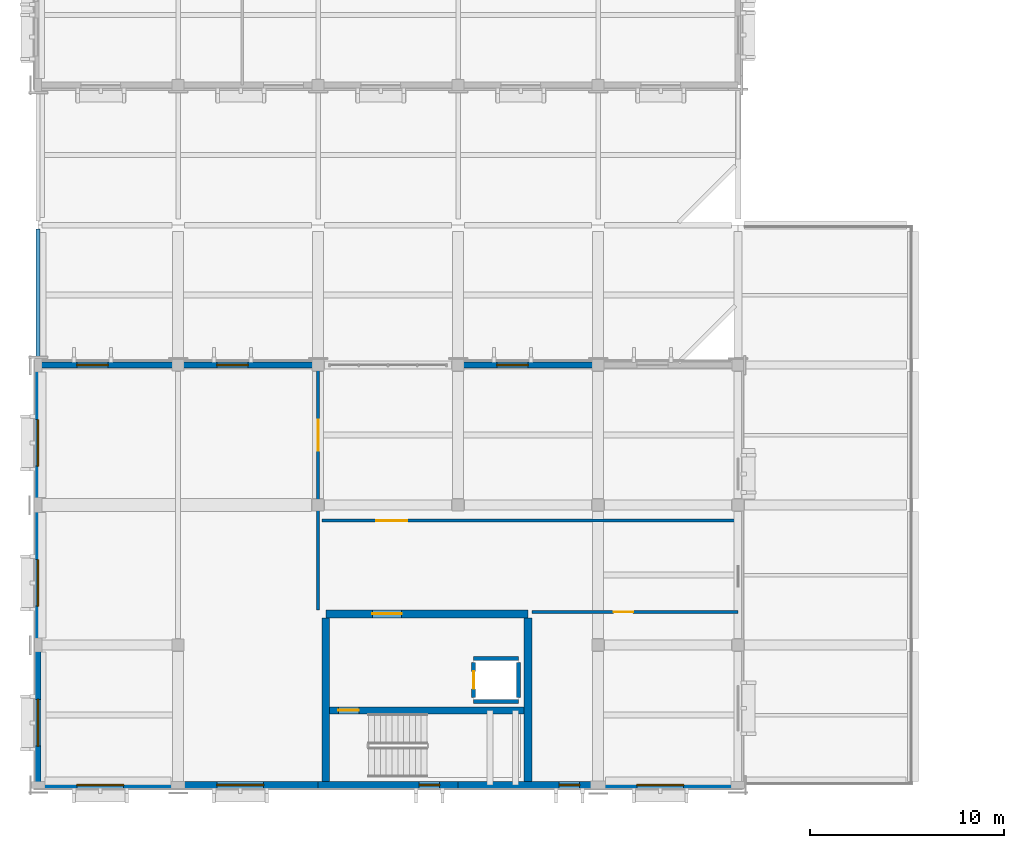
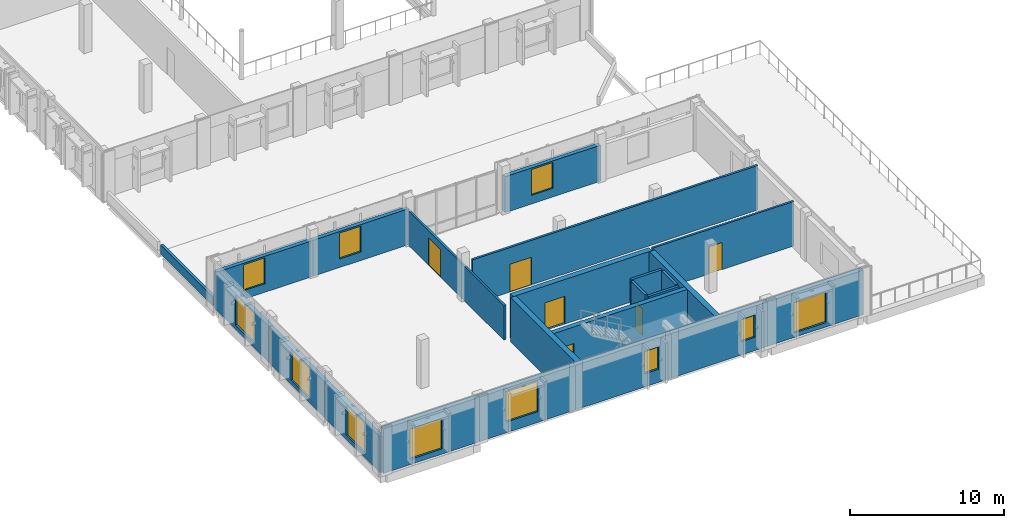
# One storey, part 38 of 64: 23 walls, 11 windows, 6 doors, 17 openings.
"""IFC4 building model written with IfcOpenShell, lengths in metres."""

from ifc_helpers import new_model, si_unit, direction, frame, frame_2d, origin, origin_with_axes, place, context, subcontext, project, spatial, rectangle, extrude, material, layer, layer_set, type_object, element, fill, save


model = new_model("IFC4")

# Units and contexts
model_context = context("Model", 3, precision=1e-05, world=origin(), true_north=direction((0.0, 1.0)))
body_context = subcontext(model_context, "Body", "Model", "MODEL_VIEW")
ifc_project = project(units=[si_unit("LENGTHUNIT", "METRE"), si_unit("AREAUNIT", "SQUARE_METRE"), si_unit("VOLUMEUNIT", "CUBIC_METRE"), si_unit("PLANEANGLEUNIT", "RADIAN"), si_unit("MASSUNIT", "GRAM", prefix="KILO")], contexts=[model_context])

# Site, building, storey
site_placement = place(None, origin())
site = spatial("IfcSite", under=ifc_project, at=site_placement, CompositionType="ELEMENT")
building_placement = place(site_placement, origin())
building = spatial("IfcBuilding", under=site, at=building_placement, Name="Vervanel Yard Central Library", CompositionType="ELEMENT")
storey_placement = place(building_placement, frame((0.0, 0.0, 8.93994140625)))
storey = spatial("IfcBuildingStorey", under=building, at=storey_placement, Name="L02", CompositionType="ELEMENT", Elevation=8.93994140625)

# Wall, opening, door
ifc_material_1 = material(Name="Fire-rated gypsum board on steel studs", Category="steel")
ifc_layer_1 = layer(ifc_material_1, 0.159912109375, Category="steel")
ifc_layer_set_1 = layer_set([ifc_layer_1], Name="Fire-rated gypsum board on steel studs")
wall_type_1 = type_object("IfcWallType", Name="Acoustic Glazed Partition 160", PredefinedType="PARTITIONING", material=ifc_layer_set_1)
wall_1_placement = place(storey_placement, frame((14.60009765625, 13.60009765625, 0.0), z_axis=(0.0, 0.0, 1.0), x_axis=(1.0, 0.0, 0.0)))
wall_1 = element("IfcWall", 1, at=wall_1_placement, inside=storey, type_object=wall_type_1, Name="L02 Acoustic Glazed Partition 160 IPART-L02-0090", PredefinedType="PARTITIONING", context=body_context, shape_type="SweptSolid", body=[
    extrude(rectangle(XDim=21.39990234375, YDim=0.159912109375, at=frame_2d((10.699951171875, 0.0))), origin(), (0.0, 0.0, 1.0), 3.530029296875),
])
opening_1_placement = place(wall_1_placement, frame((2.800048828125, 0.0, 0.0)))
opening_1 = element("IfcOpeningElement", 2, at=opening_1_placement, cuts=wall_1, Name="Opening DR-04", PredefinedType="OPENING", context=body_context, shape_type="SweptSolid", body=[
    extrude(rectangle(XDim=1.60009765625, YDim=2.199951171875, at=frame_2d((0.800048828125, 1.10009765625))), frame((0.0, 0.08984375, 0.0), z_axis=(0.0, -1.0, 0.0), x_axis=(1.0, 0.0, 0.0)), (0.0, 0.0, 1.0), 0.179931640625),
])
ifc_material_2 = material(Name="Solid white oak acoustic joinery", Category="wood")
door_type_1 = type_object("IfcDoorType", Name="Interior Double Reading Door 1600x2200", OperationType="NOTDEFINED", PredefinedType="DOOR", material=ifc_material_2)
door_1_placement = place(opening_1_placement, origin())
door_1 = element("IfcDoor", 3, at=door_1_placement, inside=storey, type_object=door_type_1, Name="L02 Interior Double Reading Door 1600x2200 IDOOR-L02-0071", OperationType="DOUBLE_DOOR_SINGLE_SWING", OverallHeight=2.199951171875, OverallWidth=1.60009765625, PredefinedType="DOOR", context=body_context, shape_type="SweptSolid", body=[
    extrude(rectangle(XDim=1.60009765625, YDim=2.199951171875, at=frame_2d((0.800048828125, 1.10009765625))), frame((0.0, 0.02490234375, 0.0), z_axis=(0.0, -1.0, 0.0), x_axis=(1.0, 0.0, 0.0)), (0.0, 0.0, 1.0), 0.050048828125),
])
fill(opening_1, door_1)

# Wall, opening, window
ifc_material_3 = material(Name="Precast concrete C45/55", Category="concrete")
ifc_layer_2 = layer(ifc_material_3, 0.300048828125, Category="concrete")
ifc_layer_set_2 = layer_set([ifc_layer_2], Name="Precast concrete C45/55")
wall_type_2 = type_object("IfcWallType", Name="Bush-Hammered Precast Cladding Wall 300", PredefinedType="SOLIDWALL", material=ifc_layer_set_2)
wall_2_placement = place(storey_placement, frame((0.0, 0.0, 0.0), z_axis=(0.0, 0.0, 1.0), x_axis=(0.0, 1.0, 0.0)))
wall_2 = element("IfcWall", 4, at=wall_2_placement, inside=storey, type_object=wall_type_2, Name="L02 Bush-Hammered Precast Cladding Wall 300 EWALL-L02-0238", PredefinedType="SOLIDWALL", context=body_context, shape_type="SweptSolid", body=[
    extrude(rectangle(XDim=7.199951171875, YDim=0.300048828125, at=frame_2d((3.60009765625, 0.0))), origin(), (0.0, 0.0, 1.0), 2.85498046875),
])
opening_2_placement = place(wall_2_placement, frame((2.0, 0.0, 0.3349609375)))
opening_2 = element("IfcOpeningElement", 5, at=opening_2_placement, cuts=wall_2, Name="Opening WN-09", PredefinedType="OPENING", context=body_context, shape_type="SweptSolid", body=[
    extrude(rectangle(XDim=2.39990234375, YDim=2.39990234375, at=frame_2d((1.199951171875, 1.199951171875))), frame((0.0, 0.159912109375, 0.0), z_axis=(0.0, -1.0, 0.0), x_axis=(1.0, 0.0, 0.0)), (0.0, 0.0, 1.0), 0.320068359375),
])
ifc_material_4 = material(Name="Double low-E laminated solar-control glass", Category="glass")
window_type_1 = type_object("IfcWindowType", Name="Maker Workshop Window 2400x2400", PartitioningType="SINGLE_PANEL", PredefinedType="WINDOW", material=ifc_material_4)
window_1_placement = place(opening_2_placement, origin())
window_1 = element("IfcWindow", 6, at=window_1_placement, inside=storey, type_object=window_type_1, Name="L02 Maker Workshop Window 2400x2400 303", OverallHeight=2.39990234375, OverallWidth=2.39990234375, PartitioningType="SINGLE_PANEL", PredefinedType="WINDOW", context=body_context, shape_type="SweptSolid", body=[
    extrude(rectangle(XDim=2.39990234375, YDim=2.39990234375, at=frame_2d((1.199951171875, 1.199951171875))), frame((0.0, 0.030029296875, 0.0), z_axis=(0.0, -1.0, 0.0), x_axis=(1.0, 0.0, 0.0)), (0.0, 0.0, 1.0), 0.06005859375),
])
fill(opening_2, window_1)

wall_3_placement = place(storey_placement, frame((0.0, 7.199951171875, 0.0), z_axis=(0.0, 0.0, 1.0), x_axis=(0.0, 1.0, 0.0)))
wall_3 = element("IfcWall", 7, at=wall_3_placement, inside=storey, type_object=wall_type_2, Name="L02 Bush-Hammered Precast Cladding Wall 300 EWALL-L02-0239", PredefinedType="SOLIDWALL", context=body_context, shape_type="SweptSolid", body=[
    extrude(rectangle(XDim=7.199951171875, YDim=0.300048828125, at=frame_2d((3.60009765625, 0.0))), origin(), (0.0, 0.0, 1.0), 2.85498046875),
])
opening_3_placement = place(wall_3_placement, frame((2.0, 0.0, 0.3349609375)))
opening_3 = element("IfcOpeningElement", 8, at=opening_3_placement, cuts=wall_3, Name="Opening WN-09", PredefinedType="OPENING", context=body_context, shape_type="SweptSolid", body=[
    extrude(rectangle(XDim=2.39990234375, YDim=2.39990234375, at=frame_2d((1.199951171875, 1.199951171875))), frame((0.0, 0.159912109375, 0.0), z_axis=(0.0, -1.0, 0.0), x_axis=(1.0, 0.0, 0.0)), (0.0, 0.0, 1.0), 0.320068359375),
])
window_2_placement = place(opening_3_placement, origin())
window_2 = element("IfcWindow", 9, at=window_2_placement, inside=storey, type_object=window_type_1, Name="L02 Maker Workshop Window 2400x2400 304", OverallHeight=2.39990234375, OverallWidth=2.39990234375, PartitioningType="SINGLE_PANEL", PredefinedType="WINDOW", context=body_context, shape_type="SweptSolid", body=[
    extrude(rectangle(XDim=2.39990234375, YDim=2.39990234375, at=frame_2d((1.199951171875, 1.199951171875))), frame((0.0, 0.030029296875, 0.0), z_axis=(0.0, -1.0, 0.0), x_axis=(1.0, 0.0, 0.0)), (0.0, 0.0, 1.0), 0.06005859375),
])
fill(opening_3, window_2)

wall_4_placement = place(storey_placement, frame((0.0, 14.39990234375, 0.0), z_axis=(0.0, 0.0, 1.0), x_axis=(0.0, 1.0, 0.0)))
wall_4 = element("IfcWall", 10, at=wall_4_placement, inside=storey, type_object=wall_type_2, Name="L02 Bush-Hammered Precast Cladding Wall 300 EWALL-L02-0240", PredefinedType="SOLIDWALL", context=body_context, shape_type="SweptSolid", body=[
    extrude(rectangle(XDim=7.2001953125, YDim=0.300048828125, at=frame_2d((3.60009765625, 0.0))), origin(), (0.0, 0.0, 1.0), 2.85498046875),
])
opening_4_placement = place(wall_4_placement, frame((2.0, 0.0, 0.3349609375)))
opening_4 = element("IfcOpeningElement", 11, at=opening_4_placement, cuts=wall_4, Name="Opening WN-09", PredefinedType="OPENING", context=body_context, shape_type="SweptSolid", body=[
    extrude(rectangle(XDim=2.39990234375, YDim=2.39990234375, at=frame_2d((1.199951171875, 1.199951171875))), frame((0.0, 0.159912109375, 0.0), z_axis=(0.0, -1.0, 0.0), x_axis=(1.0, 0.0, 0.0)), (0.0, 0.0, 1.0), 0.320068359375),
])
window_3_placement = place(opening_4_placement, origin())
window_3 = element("IfcWindow", 12, at=window_3_placement, inside=storey, type_object=window_type_1, Name="L02 Maker Workshop Window 2400x2400 305", OverallHeight=2.39990234375, OverallWidth=2.39990234375, PartitioningType="SINGLE_PANEL", PredefinedType="WINDOW", context=body_context, shape_type="SweptSolid", body=[
    extrude(rectangle(XDim=2.39990234375, YDim=2.39990234375, at=frame_2d((1.199951171875, 1.199951171875))), frame((0.0, 0.030029296875, 0.0), z_axis=(0.0, -1.0, 0.0), x_axis=(1.0, 0.0, 0.0)), (0.0, 0.0, 1.0), 0.06005859375),
])
fill(opening_4, window_3)

wall_5_placement = place(storey_placement, frame((0.0, 21.60009765625, 0.0), z_axis=(0.0, 0.0, 1.0), x_axis=(1.0, 0.0, 0.0)))
wall_5 = element("IfcWall", 13, at=wall_5_placement, inside=storey, type_object=wall_type_2, Name="L02 Bush-Hammered Precast Cladding Wall 300 EWALL-L02-0242", PredefinedType="SOLIDWALL", context=body_context, shape_type="SweptSolid", body=[
    extrude(rectangle(XDim=7.199951171875, YDim=0.300048828125, at=frame_2d((3.60009765625, 0.0))), origin(), (0.0, 0.0, 1.0), 2.85498046875),
])
opening_5_placement = place(wall_5_placement, frame((2.0, 0.0, 0.68505859375)))
opening_5 = element("IfcOpeningElement", 14, at=opening_5_placement, cuts=wall_5, Name="Opening WN-20", PredefinedType="OPENING", context=body_context, shape_type="SweptSolid", body=[
    extrude(rectangle(XDim=1.60009765625, YDim=2.050048828125, at=frame_2d((0.800048828125, 1.02490234375))), frame((0.0, 0.159912109375, 0.0), z_axis=(0.0, -1.0, 0.0), x_axis=(1.0, 0.0, 0.0)), (0.0, 0.0, 1.0), 0.320068359375),
])
window_type_2 = type_object("IfcWindowType", Name="Reading Courtyard Window 1600x2050", PartitioningType="SINGLE_PANEL", PredefinedType="WINDOW", material=ifc_material_4)
window_4_placement = place(opening_5_placement, origin())
window_4 = element("IfcWindow", 15, at=window_4_placement, inside=storey, type_object=window_type_2, Name="L02 Reading Courtyard Window 1600x2050 308", OverallHeight=2.050048828125, OverallWidth=1.60009765625, PartitioningType="SINGLE_PANEL", PredefinedType="WINDOW", context=body_context, shape_type="SweptSolid", body=[
    extrude(rectangle(XDim=1.60009765625, YDim=2.050048828125, at=frame_2d((0.800048828125, 1.02490234375))), frame((0.0, 0.030029296875, 0.0), z_axis=(0.0, -1.0, 0.0), x_axis=(1.0, 0.0, 0.0)), (0.0, 0.0, 1.0), 0.06005859375),
])
fill(opening_5, window_4)

wall_6_placement = place(storey_placement, frame((7.199951171875, 21.60009765625, 0.0), z_axis=(0.0, 0.0, 1.0), x_axis=(1.0, 0.0, 0.0)))
wall_6 = element("IfcWall", 16, at=wall_6_placement, inside=storey, type_object=wall_type_2, Name="L02 Bush-Hammered Precast Cladding Wall 300 EWALL-L02-0243", PredefinedType="SOLIDWALL", context=body_context, shape_type="SweptSolid", body=[
    extrude(rectangle(XDim=7.199951171875, YDim=0.300048828125, at=frame_2d((3.60009765625, 0.0))), origin(), (0.0, 0.0, 1.0), 2.85498046875),
])
opening_6_placement = place(wall_6_placement, frame((2.0, 0.0, 0.68505859375)))
opening_6 = element("IfcOpeningElement", 17, at=opening_6_placement, cuts=wall_6, Name="Opening WN-20", PredefinedType="OPENING", context=body_context, shape_type="SweptSolid", body=[
    extrude(rectangle(XDim=1.60009765625, YDim=2.050048828125, at=frame_2d((0.800048828125, 1.02490234375))), frame((0.0, 0.159912109375, 0.0), z_axis=(0.0, -1.0, 0.0), x_axis=(1.0, 0.0, 0.0)), (0.0, 0.0, 1.0), 0.320068359375),
])
window_5_placement = place(opening_6_placement, origin())
window_5 = element("IfcWindow", 18, at=window_5_placement, inside=storey, type_object=window_type_2, Name="L02 Reading Courtyard Window 1600x2050 309", OverallHeight=2.050048828125, OverallWidth=1.60009765625, PartitioningType="SINGLE_PANEL", PredefinedType="WINDOW", context=body_context, shape_type="SweptSolid", body=[
    extrude(rectangle(XDim=1.60009765625, YDim=2.050048828125, at=frame_2d((0.800048828125, 1.02490234375))), frame((0.0, 0.030029296875, 0.0), z_axis=(0.0, -1.0, 0.0), x_axis=(1.0, 0.0, 0.0)), (0.0, 0.0, 1.0), 0.06005859375),
])
fill(opening_6, window_5)

wall_7_placement = place(storey_placement, frame((21.60009765625, 21.60009765625, 0.0), z_axis=(0.0, 0.0, 1.0), x_axis=(1.0, 0.0, 0.0)))
wall_7 = element("IfcWall", 19, at=wall_7_placement, inside=storey, type_object=wall_type_2, Name="L02 Bush-Hammered Precast Cladding Wall 300 EWALL-L02-0244", PredefinedType="SOLIDWALL", context=body_context, shape_type="SweptSolid", body=[
    extrude(rectangle(XDim=7.199951171875, YDim=0.300048828125, at=frame_2d((3.60009765625, 0.0))), origin(), (0.0, 0.0, 1.0), 2.85498046875),
])
opening_7_placement = place(wall_7_placement, frame((2.0, 0.0, 0.68505859375)))
opening_7 = element("IfcOpeningElement", 20, at=opening_7_placement, cuts=wall_7, Name="Opening WN-20", PredefinedType="OPENING", context=body_context, shape_type="SweptSolid", body=[
    extrude(rectangle(XDim=1.60009765625, YDim=2.050048828125, at=frame_2d((0.800048828125, 1.02490234375))), frame((0.0, 0.159912109375, 0.0), z_axis=(0.0, -1.0, 0.0), x_axis=(1.0, 0.0, 0.0)), (0.0, 0.0, 1.0), 0.320068359375),
])
window_6_placement = place(opening_7_placement, origin())
window_6 = element("IfcWindow", 21, at=window_6_placement, inside=storey, type_object=window_type_2, Name="L02 Reading Courtyard Window 1600x2050 310", OverallHeight=2.050048828125, OverallWidth=1.60009765625, PartitioningType="SINGLE_PANEL", PredefinedType="WINDOW", context=body_context, shape_type="SweptSolid", body=[
    extrude(rectangle(XDim=1.60009765625, YDim=2.050048828125, at=frame_2d((0.800048828125, 1.02490234375))), frame((0.0, 0.030029296875, 0.0), z_axis=(0.0, -1.0, 0.0), x_axis=(1.0, 0.0, 0.0)), (0.0, 0.0, 1.0), 0.06005859375),
])
fill(opening_7, window_6)

# Wall, opening, door
ifc_material_5 = material(Name="Concrete C45/55", Category="concrete")
ifc_layer_3 = layer(ifc_material_5, 0.39990234375, Category="concrete")
ifc_layer_set_3 = layer_set([ifc_layer_3], Name="Concrete C45/55")
wall_type_3 = type_object("IfcWallType", Name="Core Primary Shear Wall 400", PredefinedType="SHEAR", material=ifc_layer_set_3)
wall_8_placement = place(storey_placement, frame((14.800048828125, 8.800048828125, 0.0), z_axis=(0.0, 0.0, 1.0), x_axis=(1.0, 0.0, 0.0)))
wall_8 = element("IfcWall", 22, at=wall_8_placement, inside=storey, type_object=wall_type_3, Name="L02 CORE-D Shear Wall N", PredefinedType="SHEAR", context=body_context, shape_type="SweptSolid", body=[
    extrude(rectangle(XDim=10.39990234375, YDim=0.39990234375, at=frame_2d((5.199951171875, 0.0))), origin(), (0.0, 0.0, 1.0), 3.530029296875),
])
opening_8_placement = place(wall_8_placement, frame((2.39990234375, 0.0, 0.0)))
opening_8 = element("IfcOpeningElement", 23, at=opening_8_placement, cuts=wall_8, Name="Opening DR-F02", PredefinedType="OPENING", context=body_context, shape_type="SweptSolid", body=[
    extrude(rectangle(XDim=1.5, YDim=2.199951171875, at=frame_2d((0.75, 1.10009765625))), frame((0.0, 0.2099609375, 0.0), z_axis=(0.0, -1.0, 0.0), x_axis=(1.0, 0.0, 0.0)), (0.0, 0.0, 1.0), 0.419921875),
])
ifc_material_6 = material(Name="Galvanized painted steelwork ASTM A500 Grade C", Category="steel")
door_type_2 = type_object("IfcDoorType", Name="Fire-Rated Lobby Door 1500x2200", OperationType="NOTDEFINED", PredefinedType="DOOR", material=ifc_material_6)
door_2_placement = place(opening_8_placement, origin())
door_2 = element("IfcDoor", 24, at=door_2_placement, inside=storey, type_object=door_type_2, Name="L02 CORE-D Lobby Fire Door", OperationType="DOUBLE_DOOR_SINGLE_SWING", OverallHeight=2.199951171875, OverallWidth=1.5, PredefinedType="DOOR", context=body_context, shape_type="SweptSolid", body=[
    extrude(rectangle(XDim=1.5, YDim=2.199951171875, at=frame_2d((0.75, 1.10009765625))), frame((0.0, 0.02490234375, 0.0), z_axis=(0.0, -1.0, 0.0), x_axis=(1.0, 0.0, 0.0)), (0.0, 0.0, 1.0), 0.050048828125),
])
fill(opening_8, door_2)

# Walls
for number, where, z_axis, x_axis, name in (
    (25, (14.800048828125, 0.169921875, 0.0), (0.0, 0.0, 1.0), (0.0, 1.0, 0.0), "L02 CORE-D Shear Wall W"),
    (26, (25.199951171875, 0.169921875, 0.0), (0.0, 0.0, 1.0), (0.0, 1.0, 0.0), "L02 CORE-D Shear Wall E"),
):
    element("IfcWall", number, at=place(storey_placement, frame(where, z_axis=z_axis, x_axis=x_axis)), inside=storey, type_object=wall_type_3, Name=name, PredefinedType="SHEAR", context=body_context, shape_type="SweptSolid", body=[
        extrude(rectangle(XDim=8.43017578125, YDim=0.39990234375, at=frame_2d((4.215087890625, 0.0))), origin(), (0.0, 0.0, 1.0), 3.530029296875),
    ])

# Wall, opening, door
ifc_layer_4 = layer(ifc_material_5, 0.35009765625, Category="concrete")
ifc_layer_set_4 = layer_set([ifc_layer_4], Name="Concrete C45/55")
wall_type_4 = type_object("IfcWallType", Name="Core Secondary Shear Wall 350", PredefinedType="SHEAR", material=ifc_layer_set_4)
wall_9_placement = place(storey_placement, frame((15.0, 3.8349609375, 0.0), z_axis=(0.0, 0.0, 1.0), x_axis=(1.0, 0.0, 0.0)))
wall_9 = element("IfcWall", 27, at=wall_9_placement, inside=storey, type_object=wall_type_4, Name="L02 CORE-D Stair Shaft Wall", PredefinedType="SHEAR", context=body_context, shape_type="SweptSolid", body=[
    extrude(rectangle(XDim=10.0, YDim=0.35009765625, at=frame_2d((5.0, 0.0))), origin(), (0.0, 0.0, 1.0), 3.530029296875),
])
opening_9_placement = place(wall_9_placement, frame((0.449951171875, 0.0, 0.0)))
opening_9 = element("IfcOpeningElement", 28, at=opening_9_placement, cuts=wall_9, Name="Opening DR-F01", PredefinedType="OPENING", context=body_context, shape_type="SweptSolid", body=[
    extrude(rectangle(XDim=1.050048828125, YDim=2.199951171875, at=frame_2d((0.52490234375, 1.10009765625))), frame((0.0, 0.18505859375, 0.0), z_axis=(0.0, -1.0, 0.0), x_axis=(1.0, 0.0, 0.0)), (0.0, 0.0, 1.0), 0.3701171875),
])
door_type_3 = type_object("IfcDoorType", Name="Fire-Rated Stair Exit Door 1050x2200", OperationType="NOTDEFINED", PredefinedType="DOOR", material=ifc_material_6)
door_3_placement = place(opening_9_placement, origin())
door_3 = element("IfcDoor", 29, at=door_3_placement, inside=storey, type_object=door_type_3, Name="L02 CORE-D Stair Door", OperationType="SINGLE_SWING_LEFT", OverallHeight=2.199951171875, OverallWidth=1.050048828125, PredefinedType="DOOR", context=body_context, shape_type="SweptSolid", body=[
    extrude(rectangle(XDim=1.050048828125, YDim=2.199951171875, at=frame_2d((0.52490234375, 1.10009765625))), frame((0.0, 0.02490234375, 0.0), z_axis=(0.0, -1.0, 0.0), x_axis=(1.0, 0.0, 0.0)), (0.0, 0.0, 1.0), 0.050048828125),
])
fill(opening_9, door_3)

# Wall, opening, window
ifc_layer_5 = layer(ifc_material_5, 0.340087890625, Category="concrete")
ifc_layer_set_5 = layer_set([ifc_layer_5], Name="Concrete C45/55")
wall_type_5 = type_object("IfcWallType", Name="Exterior Bearing Concrete Frame Wall 340", PredefinedType="SOLIDWALL", material=ifc_layer_set_5)
wall_10_placement = place(storey_placement, origin_with_axes())
wall_10 = element("IfcWall", 30, at=wall_10_placement, inside=storey, type_object=wall_type_5, Name="L02 Exterior Bearing Concrete Frame Wall 340 EWALL-L02-0233", PredefinedType="SOLIDWALL", context=body_context, shape_type="SweptSolid", body=[
    extrude(rectangle(XDim=7.199951171875, YDim=0.340087890625, at=frame_2d((3.60009765625, 0.0))), origin(), (0.0, 0.0, 1.0), 3.530029296875),
])
opening_10_placement = place(wall_10_placement, frame((2.0, 0.0, 0.4150390625)))
opening_10 = element("IfcOpeningElement", 31, at=opening_10_placement, cuts=wall_10, Name="Opening WN-09", PredefinedType="OPENING", context=body_context, shape_type="SweptSolid", body=[
    extrude(rectangle(XDim=2.39990234375, YDim=2.39990234375, at=frame_2d((1.199951171875, 1.199951171875))), frame((0.0, 0.179931640625, 0.0), z_axis=(0.0, -1.0, 0.0), x_axis=(1.0, 0.0, 0.0)), (0.0, 0.0, 1.0), 0.360107421875),
])
window_7_placement = place(opening_10_placement, origin())
window_7 = element("IfcWindow", 32, at=window_7_placement, inside=storey, type_object=window_type_1, Name="L02 Maker Workshop Window 2400x2400 298", OverallHeight=2.39990234375, OverallWidth=2.39990234375, PartitioningType="SINGLE_PANEL", PredefinedType="WINDOW", context=body_context, shape_type="SweptSolid", body=[
    extrude(rectangle(XDim=2.39990234375, YDim=2.39990234375, at=frame_2d((1.199951171875, 1.199951171875))), frame((0.0, 0.030029296875, 0.0), z_axis=(0.0, -1.0, 0.0), x_axis=(1.0, 0.0, 0.0)), (0.0, 0.0, 1.0), 0.06005859375),
])
fill(opening_10, window_7)

wall_11_placement = place(storey_placement, frame((7.199951171875, 0.0, 0.0), z_axis=(0.0, 0.0, 1.0), x_axis=(1.0, 0.0, 0.0)))
wall_11 = element("IfcWall", 33, at=wall_11_placement, inside=storey, type_object=wall_type_5, Name="L02 Exterior Bearing Concrete Frame Wall 340 EWALL-L02-0234", PredefinedType="SOLIDWALL", context=body_context, shape_type="SweptSolid", body=[
    extrude(rectangle(XDim=7.199951171875, YDim=0.340087890625, at=frame_2d((3.60009765625, 0.0))), origin(), (0.0, 0.0, 1.0), 3.530029296875),
])
opening_11_placement = place(wall_11_placement, frame((2.0, 0.0, 0.85009765625)))
opening_11 = element("IfcOpeningElement", 34, at=opening_11_placement, cuts=wall_11, Name="Opening WN-09", PredefinedType="OPENING", context=body_context, shape_type="SweptSolid", body=[
    extrude(rectangle(XDim=2.39990234375, YDim=2.39990234375, at=frame_2d((1.199951171875, 1.199951171875))), frame((0.0, 0.179931640625, 0.0), z_axis=(0.0, -1.0, 0.0), x_axis=(1.0, 0.0, 0.0)), (0.0, 0.0, 1.0), 0.360107421875),
])
window_8_placement = place(opening_11_placement, origin())
window_8 = element("IfcWindow", 35, at=window_8_placement, inside=storey, type_object=window_type_1, Name="L02 Maker Workshop Window 2400x2400 299", OverallHeight=2.39990234375, OverallWidth=2.39990234375, PartitioningType="SINGLE_PANEL", PredefinedType="WINDOW", context=body_context, shape_type="SweptSolid", body=[
    extrude(rectangle(XDim=2.39990234375, YDim=2.39990234375, at=frame_2d((1.199951171875, 1.199951171875))), frame((0.0, 0.030029296875, 0.0), z_axis=(0.0, -1.0, 0.0), x_axis=(1.0, 0.0, 0.0)), (0.0, 0.0, 1.0), 0.06005859375),
])
fill(opening_11, window_8)

wall_12_placement = place(storey_placement, frame((14.39990234375, 0.0, 0.0), z_axis=(0.0, 0.0, 1.0), x_axis=(1.0, 0.0, 0.0)))
wall_12 = element("IfcWall", 36, at=wall_12_placement, inside=storey, type_object=wall_type_5, Name="L02 Exterior Bearing Concrete Frame Wall 340 EWALL-L02-0235", PredefinedType="SOLIDWALL", context=body_context, shape_type="SweptSolid", body=[
    extrude(rectangle(XDim=7.2001953125, YDim=0.340087890625, at=frame_2d((3.60009765625, 0.0))), origin(), (0.0, 0.0, 1.0), 3.530029296875),
])
opening_12_placement = place(wall_12_placement, frame((5.199951171875, 0.0, 1.050048828125)))
opening_12 = element("IfcOpeningElement", 37, at=opening_12_placement, cuts=wall_12, Name="Opening WN-16", PredefinedType="OPENING", context=body_context, shape_type="SweptSolid", body=[
    extrude(rectangle(XDim=1.050048828125, YDim=1.75, at=frame_2d((0.52490234375, 0.875))), frame((0.0, 0.179931640625, 0.0), z_axis=(0.0, -1.0, 0.0), x_axis=(1.0, 0.0, 0.0)), (0.0, 0.0, 1.0), 0.360107421875),
])
window_type_3 = type_object("IfcWindowType", Name="Study Carrel Punch Window 1050x1750", PartitioningType="SINGLE_PANEL", PredefinedType="WINDOW", material=ifc_material_4)
window_9_placement = place(opening_12_placement, origin())
window_9 = element("IfcWindow", 38, at=window_9_placement, inside=storey, type_object=window_type_3, Name="L02 Study Carrel Punch Window 1050x1750 300", OverallHeight=1.75, OverallWidth=1.050048828125, PartitioningType="SINGLE_PANEL", PredefinedType="WINDOW", context=body_context, shape_type="SweptSolid", body=[
    extrude(rectangle(XDim=1.050048828125, YDim=1.75, at=frame_2d((0.52490234375, 0.875))), frame((0.0, 0.030029296875, 0.0), z_axis=(0.0, -1.0, 0.0), x_axis=(1.0, 0.0, 0.0)), (0.0, 0.0, 1.0), 0.06005859375),
])
fill(opening_12, window_9)

wall_13_placement = place(storey_placement, frame((21.60009765625, 0.0, 0.0), z_axis=(0.0, 0.0, 1.0), x_axis=(1.0, 0.0, 0.0)))
wall_13 = element("IfcWall", 39, at=wall_13_placement, inside=storey, type_object=wall_type_5, Name="L02 Exterior Bearing Concrete Frame Wall 340 EWALL-L02-0236", PredefinedType="SOLIDWALL", context=body_context, shape_type="SweptSolid", body=[
    extrude(rectangle(XDim=7.199951171875, YDim=0.340087890625, at=frame_2d((3.60009765625, 0.0))), origin(), (0.0, 0.0, 1.0), 3.530029296875),
])
opening_13_placement = place(wall_13_placement, frame((5.199951171875, 0.0, 1.050048828125)))
opening_13 = element("IfcOpeningElement", 40, at=opening_13_placement, cuts=wall_13, Name="Opening WN-16", PredefinedType="OPENING", context=body_context, shape_type="SweptSolid", body=[
    extrude(rectangle(XDim=1.050048828125, YDim=1.75, at=frame_2d((0.52490234375, 0.875))), frame((0.0, 0.179931640625, 0.0), z_axis=(0.0, -1.0, 0.0), x_axis=(1.0, 0.0, 0.0)), (0.0, 0.0, 1.0), 0.360107421875),
])
window_10_placement = place(opening_13_placement, origin())
window_10 = element("IfcWindow", 41, at=window_10_placement, inside=storey, type_object=window_type_3, Name="L02 Study Carrel Punch Window 1050x1750 301", OverallHeight=1.75, OverallWidth=1.050048828125, PartitioningType="SINGLE_PANEL", PredefinedType="WINDOW", context=body_context, shape_type="SweptSolid", body=[
    extrude(rectangle(XDim=1.050048828125, YDim=1.75, at=frame_2d((0.52490234375, 0.875))), frame((0.0, 0.030029296875, 0.0), z_axis=(0.0, -1.0, 0.0), x_axis=(1.0, 0.0, 0.0)), (0.0, 0.0, 1.0), 0.06005859375),
])
fill(opening_13, window_10)

wall_14_placement = place(storey_placement, frame((28.800048828125, 0.0, 0.0), z_axis=(0.0, 0.0, 1.0), x_axis=(1.0, 0.0, 0.0)))
wall_14 = element("IfcWall", 42, at=wall_14_placement, inside=storey, type_object=wall_type_5, Name="L02 Exterior Bearing Concrete Frame Wall 340 EWALL-L02-0237", PredefinedType="SOLIDWALL", context=body_context, shape_type="SweptSolid", body=[
    extrude(rectangle(XDim=7.199951171875, YDim=0.340087890625, at=frame_2d((3.60009765625, 0.0))), origin(), (0.0, 0.0, 1.0), 3.530029296875),
])
opening_14_placement = place(wall_14_placement, frame((2.0, 0.0, 0.35498046875)))
opening_14 = element("IfcOpeningElement", 43, at=opening_14_placement, cuts=wall_14, Name="Opening WN-09", PredefinedType="OPENING", context=body_context, shape_type="SweptSolid", body=[
    extrude(rectangle(XDim=2.39990234375, YDim=2.39990234375, at=frame_2d((1.199951171875, 1.199951171875))), frame((0.0, 0.179931640625, 0.0), z_axis=(0.0, -1.0, 0.0), x_axis=(1.0, 0.0, 0.0)), (0.0, 0.0, 1.0), 0.360107421875),
])
window_11_placement = place(opening_14_placement, origin())
window_11 = element("IfcWindow", 44, at=window_11_placement, inside=storey, type_object=window_type_1, Name="L02 Maker Workshop Window 2400x2400 302", OverallHeight=2.39990234375, OverallWidth=2.39990234375, PartitioningType="SINGLE_PANEL", PredefinedType="WINDOW", context=body_context, shape_type="SweptSolid", body=[
    extrude(rectangle(XDim=2.39990234375, YDim=2.39990234375, at=frame_2d((1.199951171875, 1.199951171875))), frame((0.0, 0.030029296875, 0.0), z_axis=(0.0, -1.0, 0.0), x_axis=(1.0, 0.0, 0.0)), (0.0, 0.0, 1.0), 0.06005859375),
])
fill(opening_14, window_11)

# Wall, opening, door
ifc_layer_6 = layer(ifc_material_1, 0.14990234375, Category="steel")
ifc_layer_set_6 = layer_set([ifc_layer_6], Name="Fire-rated gypsum board on steel studs")
wall_type_6 = type_object("IfcWallType", Name="Interior Partition 150", PredefinedType="PARTITIONING", material=ifc_layer_set_6)
wall_15_placement = place(storey_placement, frame((14.39990234375, 9.0, 0.0), z_axis=(0.0, 0.0, 1.0), x_axis=(0.0, 1.0, 0.0)))
wall_15 = element("IfcWall", 45, at=wall_15_placement, inside=storey, type_object=wall_type_6, Name="L02 Interior Partition 150 IPART-L02-0089", PredefinedType="PARTITIONING", context=body_context, shape_type="SweptSolid", body=[
    extrude(rectangle(XDim=12.60009765625, YDim=0.14990234375, at=frame_2d((6.300048828125, 0.0))), origin(), (0.0, 0.0, 1.0), 2.755126953125),
])
opening_15_placement = place(wall_15_placement, frame((8.199951171875, 0.0, 0.0)))
opening_15 = element("IfcOpeningElement", 46, at=opening_15_placement, cuts=wall_15, Name="Opening DR-04", PredefinedType="OPENING", context=body_context, shape_type="SweptSolid", body=[
    extrude(rectangle(XDim=1.60009765625, YDim=2.199951171875, at=frame_2d((0.800048828125, 1.10009765625))), frame((0.0, 0.0849609375, 0.0), z_axis=(0.0, -1.0, 0.0), x_axis=(1.0, 0.0, 0.0)), (0.0, 0.0, 1.0), 0.169921875),
])
door_4_placement = place(opening_15_placement, origin())
door_4 = element("IfcDoor", 47, at=door_4_placement, inside=storey, type_object=door_type_1, Name="L02 Interior Double Reading Door 1600x2200 IDOOR-L02-0070", OperationType="DOUBLE_DOOR_SINGLE_SWING", OverallHeight=2.199951171875, OverallWidth=1.60009765625, PredefinedType="DOOR", context=body_context, shape_type="SweptSolid", body=[
    extrude(rectangle(XDim=1.60009765625, YDim=2.199951171875, at=frame_2d((0.800048828125, 1.10009765625))), frame((0.0, 0.02490234375, 0.0), z_axis=(0.0, -1.0, 0.0), x_axis=(1.0, 0.0, 0.0)), (0.0, 0.0, 1.0), 0.050048828125),
])
fill(opening_15, door_4)

wall_16_placement = place(storey_placement, frame((25.39990234375, 8.89990234375, 0.0), z_axis=(0.0, 0.0, 1.0), x_axis=(1.0, 0.0, 0.0)))
wall_16 = element("IfcWall", 48, at=wall_16_placement, inside=storey, type_object=wall_type_6, Name="L02 Interior Partition 150 IPART-L02-0091", PredefinedType="PARTITIONING", context=body_context, shape_type="SweptSolid", body=[
    extrude(rectangle(XDim=10.60009765625, YDim=0.14990234375, at=frame_2d((5.300048828125, 0.0))), origin(), (0.0, 0.0, 1.0), 3.530029296875),
])
opening_16_placement = place(wall_16_placement, frame((4.199951171875, 0.0, 0.0)))
opening_16 = element("IfcOpeningElement", 49, at=opening_16_placement, cuts=wall_16, Name="Opening DR-01", PredefinedType="OPENING", context=body_context, shape_type="SweptSolid", body=[
    extrude(rectangle(XDim=1.0, YDim=2.14990234375, at=frame_2d((0.5, 1.074951171875))), frame((0.0, 0.0849609375, 0.0), z_axis=(0.0, -1.0, 0.0), x_axis=(1.0, 0.0, 0.0)), (0.0, 0.0, 1.0), 0.169921875),
])
door_type_4 = type_object("IfcDoorType", Name="Interior Single Door 1000x2150", OperationType="NOTDEFINED", PredefinedType="DOOR", material=ifc_material_2)
door_5_placement = place(opening_16_placement, origin())
door_5 = element("IfcDoor", 50, at=door_5_placement, inside=storey, type_object=door_type_4, Name="L02 Interior Single Door 1000x2150 IDOOR-L02-0072", OperationType="SINGLE_SWING_LEFT", OverallHeight=2.14990234375, OverallWidth=1.0, PredefinedType="DOOR", context=body_context, shape_type="SweptSolid", body=[
    extrude(rectangle(XDim=1.0, YDim=2.14990234375, at=frame_2d((0.5, 1.074951171875))), frame((0.0, 0.02490234375, 0.0), z_axis=(0.0, -1.0, 0.0), x_axis=(1.0, 0.0, 0.0)), (0.0, 0.0, 1.0), 0.050048828125),
])
fill(opening_16, door_5)

# Walls
ifc_material_7 = material(Name="Concrete C40/50", Category="concrete")
ifc_layer_7 = layer(ifc_material_7, 0.199951171875, Category="concrete")
ifc_layer_set_7 = layer_set([ifc_layer_7], Name="Concrete C40/50")
wall_type_7 = type_object("IfcWallType", Name="Setback Roof Concrete Parapet 200", PredefinedType="PARAPET", material=ifc_layer_set_7)
wall_17_placement = place(storey_placement, frame((0.0, 28.60009765625, 0.0), z_axis=(0.0, 0.0, 1.0), x_axis=(0.0, -1.0, 0.0)))
element("IfcWall", 51, at=wall_17_placement, inside=storey, type_object=wall_type_7, Name="L02 Roof Parapet 11", PredefinedType="PARAPET", context=body_context, shape_type="SweptSolid", body=[
    extrude(rectangle(XDim=6.800048828125, YDim=0.199951171875, at=frame_2d((3.39990234375, 0.0))), origin(), (0.0, 0.0, 1.0), 0.719970703125),
])
ifc_layer_8 = layer(ifc_material_7, 0.199951171875, Category="concrete")
ifc_layer_set_8 = layer_set([ifc_layer_8], Name="Concrete C40/50")
wall_type_8 = type_object("IfcWallType", Name="Shaft & Plant Rated Wall 200", PredefinedType="PARTITIONING", material=ifc_layer_set_8)
for number, where, z_axis, x_axis, name in (
    (52, (22.39990234375, 4.300048828125, 0.0), (0.0, 0.0, 1.0), (1.0, 0.0, 0.0), "L02 CORE-D-L02-RIS Shaft Wall S"),
    (53, (22.39990234375, 6.5, 0.0), (0.0, 0.0, 1.0), (1.0, 0.0, 0.0), "L02 CORE-D-L02-RIS Shaft Wall N"),
):
    element("IfcWall", number, at=place(storey_placement, frame(where, z_axis=z_axis, x_axis=x_axis)), inside=storey, type_object=wall_type_8, Name=name, PredefinedType="PARTITIONING", context=body_context, shape_type="SweptSolid", body=[
        extrude(rectangle(XDim=2.300048828125, YDim=0.199951171875, at=frame_2d((1.14990234375, 0.0))), origin(), (0.0, 0.0, 1.0), 3.530029296875),
    ])

# Wall, opening, door
wall_18_placement = place(storey_placement, frame((22.39990234375, 4.5, 0.0), z_axis=(0.0, 0.0, 1.0), x_axis=(0.0, 1.0, 0.0)))
wall_18 = element("IfcWall", 54, at=wall_18_placement, inside=storey, type_object=wall_type_8, Name="L02 CORE-D-L02-RIS Shaft Wall W", PredefinedType="PARTITIONING", context=body_context, shape_type="SweptSolid", body=[
    extrude(rectangle(XDim=1.800048828125, YDim=0.199951171875, at=frame_2d((0.89990234375, 0.0))), origin(), (0.0, 0.0, 1.0), 3.530029296875),
])
opening_17_placement = place(wall_18_placement, frame((0.449951171875, 0.0, 0.0)))
opening_17 = element("IfcOpeningElement", 55, at=opening_17_placement, cuts=wall_18, Name="Opening DR-03", PredefinedType="OPENING", context=body_context, shape_type="SweptSolid", body=[
    extrude(rectangle(XDim=0.89990234375, YDim=2.10009765625, at=frame_2d((0.449951171875, 1.050048828125))), frame((0.0, 0.10986328125, 0.0), z_axis=(0.0, -1.0, 0.0), x_axis=(1.0, 0.0, 0.0)), (0.0, 0.0, 1.0), 0.219970703125),
])
door_type_5 = type_object("IfcDoorType", Name="Interior Riser Access Door 900x2100", OperationType="NOTDEFINED", PredefinedType="DOOR", material=ifc_material_6)
door_6_placement = place(opening_17_placement, origin())
door_6 = element("IfcDoor", 56, at=door_6_placement, inside=storey, type_object=door_type_5, Name="L02 CORE-D Riser Access Door", OperationType="SINGLE_SWING_LEFT", OverallHeight=2.10009765625, OverallWidth=0.89990234375, PredefinedType="DOOR", context=body_context, shape_type="SweptSolid", body=[
    extrude(rectangle(XDim=0.89990234375, YDim=2.10009765625, at=frame_2d((0.449951171875, 1.050048828125))), frame((0.0, 0.02490234375, 0.0), z_axis=(0.0, -1.0, 0.0), x_axis=(1.0, 0.0, 0.0)), (0.0, 0.0, 1.0), 0.050048828125),
])
fill(opening_17, door_6)

# Wall
wall_19_placement = place(storey_placement, frame((24.699951171875, 4.5, 0.0), z_axis=(0.0, 0.0, 1.0), x_axis=(0.0, 1.0, 0.0)))
element("IfcWall", 57, at=wall_19_placement, inside=storey, type_object=wall_type_8, Name="L02 CORE-D-L02-RIS Shaft Wall E", PredefinedType="PARTITIONING", context=body_context, shape_type="SweptSolid", body=[
    extrude(rectangle(XDim=1.800048828125, YDim=0.199951171875, at=frame_2d((0.89990234375, 0.0))), origin(), (0.0, 0.0, 1.0), 3.530029296875),
])

save(model, "model.ifc")
